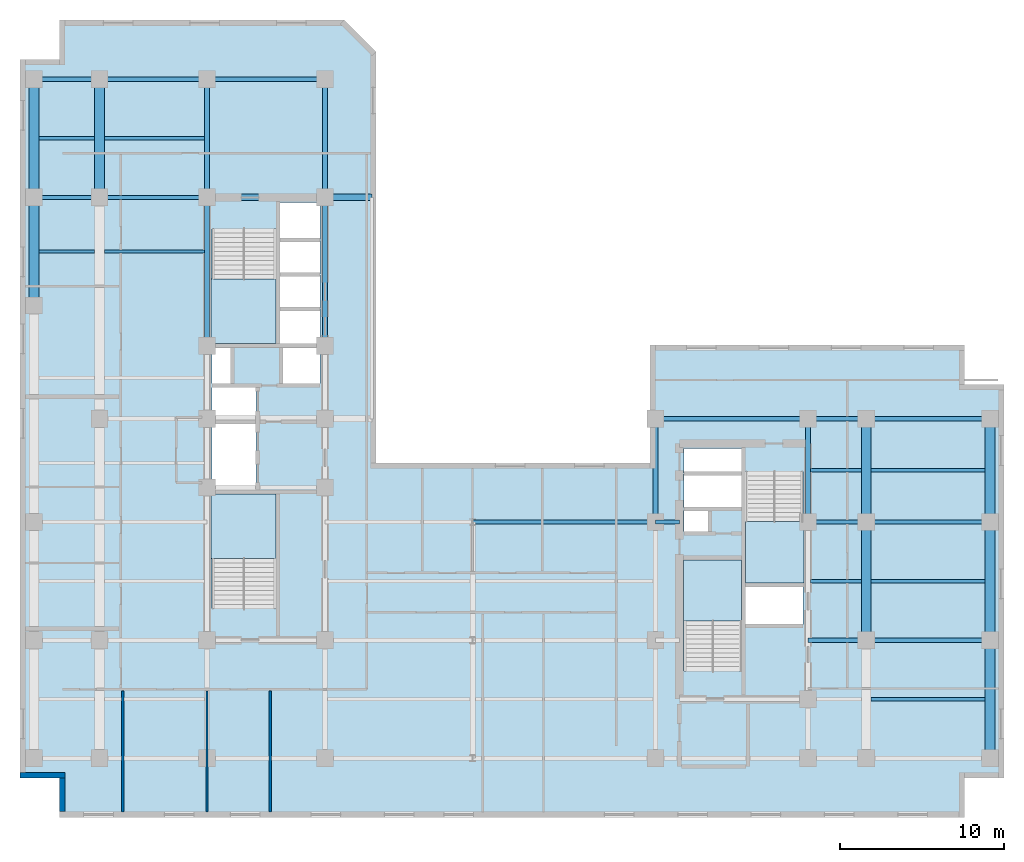
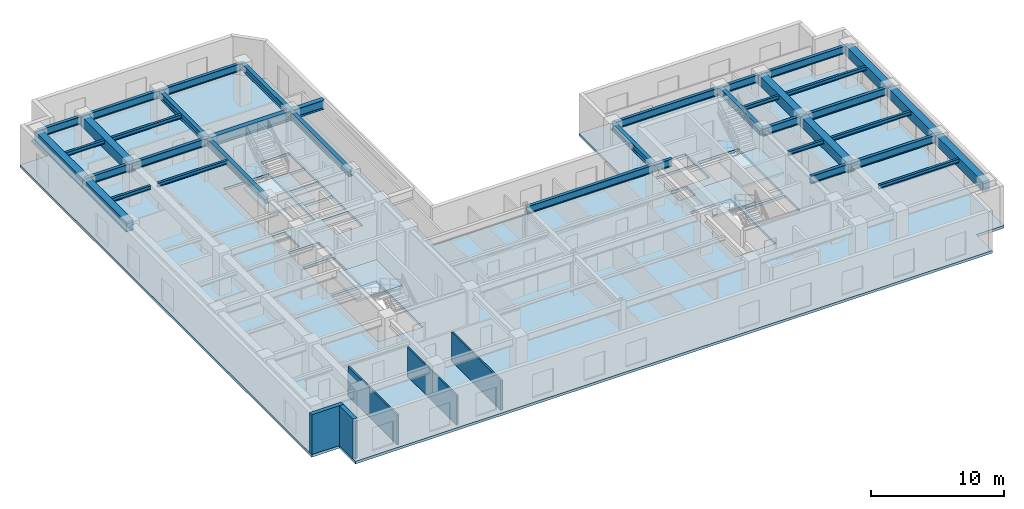
# One storey, part 2 of 9: 38 beams, 5 slabs, 5 walls, 4 elements without a shape of their own.
"""IFC4 building model written with IfcOpenShell, lengths in metres."""

from ifc_helpers import new_model, entity, si_unit, converted_unit, direction, frame, origin_with_axes, origin_2d_with_axis, place, context, subcontext, project, spatial, polyline, rectangle, i_section, outline, extrude, material, layer, layer_set, material_profile, profile_set, type_object, element, aggregate, save


model = new_model("IFC4")

# Units and contexts
model_context = context("Model", 3, precision=1e-05, world=origin_with_axes(), true_north=direction((0.0, 1.0)))
body_context = subcontext(model_context, "Body", "Model", "MODEL_VIEW")
ifc_project = project(units=[si_unit("LENGTHUNIT", "METRE"), si_unit("AREAUNIT", "SQUARE_METRE"), si_unit("VOLUMEUNIT", "CUBIC_METRE"), converted_unit("PLANEANGLEUNIT", "DEGREE", entity("IfcPlaneAngleMeasure", 0.017453292519943295), si_unit("PLANEANGLEUNIT", "RADIAN"), dimensions=[0, 0, 0, 0, 0, 0, 0]), si_unit("MASSUNIT", "GRAM", prefix="KILO"), si_unit("THERMODYNAMICTEMPERATUREUNIT", "KELVIN")], contexts=[model_context])

# Site, building, storey
site_placement = place(None, origin_with_axes())
site = spatial("IfcSite", under=ifc_project, at=site_placement, CompositionType="ELEMENT")
building_placement = place(site_placement, origin_with_axes())
building = spatial("IfcBuilding", under=site, at=building_placement, Name="Varnlund Millrace Tower", CompositionType="ELEMENT")
storey_placement = place(building_placement, frame((0.0, 0.0, 132.9), z_axis=(0.0, 0.0, 1.0), x_axis=(1.0, 0.0, 0.0)))
storey = spatial("IfcBuildingStorey", under=building, at=storey_placement, Name="L32", CompositionType="ELEMENT", Elevation=132.9)

# Beams
ifc_material_1 = material(Name="Steel ASTM A992 Grade 50", Category="steel")
ifc_material_profile_1 = material_profile(ifc_material_1, i_section(OverallWidth=0.328, OverallDepth=0.628, WebThickness=0.0165, FlangeThickness=0.0277, FilletRadius=0.018, at=origin_2d_with_axis()), Name="Steel ASTM A992 Grade 50")
ifc_profile_set_1 = profile_set([ifc_material_profile_1], Name="Steel ASTM A992 Grade 50")
beam_type_1 = type_object("IfcBeamType", Name="Type-Girder-W24X146", PredefinedType="USERDEFINED", material=ifc_profile_set_1)
beam_1_placement = place(storey_placement, frame((11.4, 28.75, 3.346), z_axis=(0.0, 1.0, 0.0), x_axis=(-1.0, 0.0, 0.0)))
element("IfcBeam", 1, at=beam_1_placement, inside=storey, type_object=beam_type_1, Name="Type-Girder-W24X146", ObjectType="GIRDER", PredefinedType="USERDEFINED", context=body_context, shape_type="SweptSolid", body=[
    extrude(i_section(OverallWidth=0.328, OverallDepth=0.628, WebThickness=0.0165, FlangeThickness=0.0277, FilletRadius=0.018, at=origin_2d_with_axis()), origin_with_axes(), (0.0, 0.0, 1.0), 9.05),
])
beam_2_placement = place(storey_placement, frame((11.4, 37.8, 3.346), z_axis=(0.0, 1.0, 0.0), x_axis=(-1.0, 0.0, 0.0)))
element("IfcBeam", 2, at=beam_2_placement, inside=storey, type_object=beam_type_1, Name="Type-Girder-W24X146", ObjectType="GIRDER", PredefinedType="USERDEFINED", context=body_context, shape_type="SweptSolid", body=[
    extrude(i_section(OverallWidth=0.328, OverallDepth=0.628, WebThickness=0.0165, FlangeThickness=0.0277, FilletRadius=0.018, at=origin_2d_with_axis()), origin_with_axes(), (0.0, 0.0, 1.0), 7.2),
])
beam_3_placement = place(storey_placement, frame((18.6, 28.75, 3.346), z_axis=(0.0, 1.0, 0.0), x_axis=(-1.0, 0.0, 0.0)))
element("IfcBeam", 3, at=beam_3_placement, inside=storey, type_object=beam_type_1, Name="Type-Girder-W24X146", ObjectType="GIRDER", PredefinedType="USERDEFINED", context=body_context, shape_type="SweptSolid", body=[
    extrude(i_section(OverallWidth=0.328, OverallDepth=0.628, WebThickness=0.0165, FlangeThickness=0.0277, FilletRadius=0.018, at=origin_2d_with_axis()), origin_with_axes(), (0.0, 0.0, 1.0), 9.05),
])
beam_4_placement = place(storey_placement, frame((18.6, 37.8, 3.346), z_axis=(0.0, 1.0, 0.0), x_axis=(-1.0, 0.0, 0.0)))
element("IfcBeam", 4, at=beam_4_placement, inside=storey, type_object=beam_type_1, Name="Type-Girder-W24X146", ObjectType="GIRDER", PredefinedType="USERDEFINED", context=body_context, shape_type="SweptSolid", body=[
    extrude(i_section(OverallWidth=0.328, OverallDepth=0.628, WebThickness=0.0165, FlangeThickness=0.0277, FilletRadius=0.018, at=origin_2d_with_axis()), origin_with_axes(), (0.0, 0.0, 1.0), 7.2),
])
for number, where, z_axis, x_axis, name in (
    (5, (38.75, 18.0, 3.346), (0.0, 1.0, 0.0), (-1.0, 0.0, 0.0), "Type-Girder-W24X146"),
    (6, (48.05, 18.0, 3.346), (0.0, 1.0, 0.0), (-1.0, 0.0, 0.0), "Type-Girder-W24X146"),
):
    element("IfcBeam", number, at=place(storey_placement, frame(where, z_axis=z_axis, x_axis=x_axis)), inside=storey, type_object=beam_type_1, Name=name, ObjectType="GIRDER", PredefinedType="USERDEFINED", context=body_context, shape_type="SweptSolid", body=[
        extrude(i_section(OverallWidth=0.328, OverallDepth=0.628, WebThickness=0.0165, FlangeThickness=0.0277, FilletRadius=0.018, at=origin_2d_with_axis()), origin_with_axes(), (0.0, 0.0, 1.0), 6.3),
    ])
ifc_material_profile_2 = material_profile(ifc_material_1, i_section(OverallWidth=0.256, OverallDepth=0.693, WebThickness=0.0145, FlangeThickness=0.0236, FilletRadius=0.018, at=origin_2d_with_axis()), Name="Steel ASTM A992 Grade 50")
ifc_profile_set_2 = profile_set([ifc_material_profile_2], Name="Steel ASTM A992 Grade 50")
beam_type_2 = type_object("IfcBeamType", Name="Type-Girder-W27X114", PredefinedType="USERDEFINED", material=ifc_profile_set_2)
beam_5_placement = place(storey_placement, frame((48.05, 10.8, 3.3135), z_axis=(1.0, 0.0, 0.0), x_axis=(0.0, 1.0, 0.0)))
element("IfcBeam", 7, at=beam_5_placement, inside=storey, type_object=beam_type_2, Name="Type-Girder-W27X114", ObjectType="GIRDER", PredefinedType="USERDEFINED", context=body_context, shape_type="SweptSolid", body=[
    extrude(i_section(OverallWidth=0.256, OverallDepth=0.693, WebThickness=0.0145, FlangeThickness=0.0236, FilletRadius=0.018, at=origin_2d_with_axis()), origin_with_axes(), (0.0, 0.0, 1.0), 3.55),
])
beam_6_placement = place(storey_placement, frame((51.6, 10.8, 3.3135), z_axis=(1.0, 0.0, 0.0), x_axis=(0.0, 1.0, 0.0)))
element("IfcBeam", 8, at=beam_6_placement, inside=storey, type_object=beam_type_2, Name="Type-Girder-W27X114", ObjectType="GIRDER", PredefinedType="USERDEFINED", context=body_context, shape_type="SweptSolid", body=[
    extrude(i_section(OverallWidth=0.256, OverallDepth=0.693, WebThickness=0.0145, FlangeThickness=0.0236, FilletRadius=0.018, at=origin_2d_with_axis()), origin_with_axes(), (0.0, 0.0, 1.0), 7.55),
])
beam_7_placement = place(storey_placement, frame((27.6, 18.0, 3.3135), z_axis=(1.0, 0.0, 0.0), x_axis=(0.0, 1.0, 0.0)))
element("IfcBeam", 9, at=beam_7_placement, inside=storey, type_object=beam_type_2, Name="Type-Girder-W27X114", ObjectType="GIRDER", PredefinedType="USERDEFINED", context=body_context, shape_type="SweptSolid", body=[
    extrude(i_section(OverallWidth=0.256, OverallDepth=0.693, WebThickness=0.0145, FlangeThickness=0.0236, FilletRadius=0.018, at=origin_2d_with_axis()), origin_with_axes(), (0.0, 0.0, 1.0), 11.15),
])
beam_8_placement = place(storey_placement, frame((38.75, 18.0, 3.3135), z_axis=(1.0, 0.0, 0.0), x_axis=(0.0, 1.0, 0.0)))
element("IfcBeam", 10, at=beam_8_placement, inside=storey, type_object=beam_type_2, Name="Type-Girder-W27X114", ObjectType="GIRDER", PredefinedType="USERDEFINED", context=body_context, shape_type="SweptSolid", body=[
    extrude(i_section(OverallWidth=0.256, OverallDepth=0.693, WebThickness=0.0145, FlangeThickness=0.0236, FilletRadius=0.018, at=origin_2d_with_axis()), origin_with_axes(), (0.0, 0.0, 1.0), 1.45),
])
beam_9_placement = place(storey_placement, frame((48.05, 18.0, 3.3135), z_axis=(1.0, 0.0, 0.0), x_axis=(0.0, 1.0, 0.0)))
element("IfcBeam", 11, at=beam_9_placement, inside=storey, type_object=beam_type_2, Name="Type-Girder-W27X114", ObjectType="GIRDER", PredefinedType="USERDEFINED", context=body_context, shape_type="SweptSolid", body=[
    extrude(i_section(OverallWidth=0.256, OverallDepth=0.693, WebThickness=0.0145, FlangeThickness=0.0236, FilletRadius=0.018, at=origin_2d_with_axis()), origin_with_axes(), (0.0, 0.0, 1.0), 3.55),
])
beam_10_placement = place(storey_placement, frame((51.6, 18.0, 3.3135), z_axis=(1.0, 0.0, 0.0), x_axis=(0.0, 1.0, 0.0)))
element("IfcBeam", 12, at=beam_10_placement, inside=storey, type_object=beam_type_2, Name="Type-Girder-W27X114", ObjectType="GIRDER", PredefinedType="USERDEFINED", context=body_context, shape_type="SweptSolid", body=[
    extrude(i_section(OverallWidth=0.256, OverallDepth=0.693, WebThickness=0.0145, FlangeThickness=0.0236, FilletRadius=0.018, at=origin_2d_with_axis()), origin_with_axes(), (0.0, 0.0, 1.0), 7.55),
])
beam_11_placement = place(storey_placement, frame((38.75, 24.3, 3.3135), z_axis=(1.0, 0.0, 0.0), x_axis=(0.0, 1.0, 0.0)))
element("IfcBeam", 13, at=beam_11_placement, inside=storey, type_object=beam_type_2, Name="Type-Girder-W27X114", ObjectType="GIRDER", PredefinedType="USERDEFINED", context=body_context, shape_type="SweptSolid", body=[
    extrude(i_section(OverallWidth=0.256, OverallDepth=0.693, WebThickness=0.0145, FlangeThickness=0.0236, FilletRadius=0.018, at=origin_2d_with_axis()), origin_with_axes(), (0.0, 0.0, 1.0), 9.3),
])
beam_12_placement = place(storey_placement, frame((48.05, 24.3, 3.3135), z_axis=(1.0, 0.0, 0.0), x_axis=(0.0, 1.0, 0.0)))
element("IfcBeam", 14, at=beam_12_placement, inside=storey, type_object=beam_type_2, Name="Type-Girder-W27X114", ObjectType="GIRDER", PredefinedType="USERDEFINED", context=body_context, shape_type="SweptSolid", body=[
    extrude(i_section(OverallWidth=0.256, OverallDepth=0.693, WebThickness=0.0145, FlangeThickness=0.0236, FilletRadius=0.018, at=origin_2d_with_axis()), origin_with_axes(), (0.0, 0.0, 1.0), 3.55),
])
beam_13_placement = place(storey_placement, frame((51.6, 24.3, 3.3135), z_axis=(1.0, 0.0, 0.0), x_axis=(0.0, 1.0, 0.0)))
element("IfcBeam", 15, at=beam_13_placement, inside=storey, type_object=beam_type_2, Name="Type-Girder-W27X114", ObjectType="GIRDER", PredefinedType="USERDEFINED", context=body_context, shape_type="SweptSolid", body=[
    extrude(i_section(OverallWidth=0.256, OverallDepth=0.693, WebThickness=0.0145, FlangeThickness=0.0236, FilletRadius=0.018, at=origin_2d_with_axis()), origin_with_axes(), (0.0, 0.0, 1.0), 7.55),
])
beam_14_placement = place(storey_placement, frame((0.85, 37.8, 3.3135), z_axis=(1.0, 0.0, 0.0), x_axis=(0.0, 1.0, 0.0)))
element("IfcBeam", 16, at=beam_14_placement, inside=storey, type_object=beam_type_2, Name="Type-Girder-W27X114", ObjectType="GIRDER", PredefinedType="USERDEFINED", context=body_context, shape_type="SweptSolid", body=[
    extrude(i_section(OverallWidth=0.256, OverallDepth=0.693, WebThickness=0.0145, FlangeThickness=0.0236, FilletRadius=0.018, at=origin_2d_with_axis()), origin_with_axes(), (0.0, 0.0, 1.0), 4.0),
])
beam_15_placement = place(storey_placement, frame((4.85, 37.8, 3.3135), z_axis=(1.0, 0.0, 0.0), x_axis=(0.0, 1.0, 0.0)))
element("IfcBeam", 17, at=beam_15_placement, inside=storey, type_object=beam_type_2, Name="Type-Girder-W27X114", ObjectType="GIRDER", PredefinedType="USERDEFINED", context=body_context, shape_type="SweptSolid", body=[
    extrude(i_section(OverallWidth=0.256, OverallDepth=0.693, WebThickness=0.0145, FlangeThickness=0.0236, FilletRadius=0.018, at=origin_2d_with_axis()), origin_with_axes(), (0.0, 0.0, 1.0), 6.55),
])
beam_16_placement = place(storey_placement, frame((0.85, 45.0, 3.3135), z_axis=(1.0, 0.0, 0.0), x_axis=(0.0, 1.0, 0.0)))
element("IfcBeam", 18, at=beam_16_placement, inside=storey, type_object=beam_type_2, Name="Type-Girder-W27X114", ObjectType="GIRDER", PredefinedType="USERDEFINED", context=body_context, shape_type="SweptSolid", body=[
    extrude(i_section(OverallWidth=0.256, OverallDepth=0.693, WebThickness=0.0145, FlangeThickness=0.0236, FilletRadius=0.018, at=origin_2d_with_axis()), origin_with_axes(), (0.0, 0.0, 1.0), 4.0),
])
beam_17_placement = place(storey_placement, frame((4.85, 45.0, 3.3135), z_axis=(1.0, 0.0, 0.0), x_axis=(0.0, 1.0, 0.0)))
element("IfcBeam", 19, at=beam_17_placement, inside=storey, type_object=beam_type_2, Name="Type-Girder-W27X114", ObjectType="GIRDER", PredefinedType="USERDEFINED", context=body_context, shape_type="SweptSolid", body=[
    extrude(i_section(OverallWidth=0.256, OverallDepth=0.693, WebThickness=0.0145, FlangeThickness=0.0236, FilletRadius=0.018, at=origin_2d_with_axis()), origin_with_axes(), (0.0, 0.0, 1.0), 6.55),
])
beam_18_placement = place(storey_placement, frame((11.4, 45.0, 3.3135), z_axis=(1.0, 0.0, 0.0), x_axis=(0.0, 1.0, 0.0)))
element("IfcBeam", 20, at=beam_18_placement, inside=storey, type_object=beam_type_2, Name="Type-Girder-W27X114", ObjectType="GIRDER", PredefinedType="USERDEFINED", context=body_context, shape_type="SweptSolid", body=[
    extrude(i_section(OverallWidth=0.256, OverallDepth=0.693, WebThickness=0.0145, FlangeThickness=0.0236, FilletRadius=0.018, at=origin_2d_with_axis()), origin_with_axes(), (0.0, 0.0, 1.0), 7.2),
])
ifc_material_profile_3 = material_profile(ifc_material_1, i_section(OverallWidth=0.399, OverallDepth=0.855, WebThickness=0.0182, FlangeThickness=0.0292, FilletRadius=0.022, at=origin_2d_with_axis()), Name="Steel ASTM A992 Grade 50")
ifc_profile_set_3 = profile_set([ifc_material_profile_3], Name="Steel ASTM A992 Grade 50")
beam_type_3 = type_object("IfcBeamType", Name="Type-Girder-W33X201", PredefinedType="USERDEFINED", material=ifc_profile_set_3)
beam_19_placement = place(storey_placement, frame((11.4, 37.8, 3.2325), z_axis=(1.0, 0.0, 0.0), x_axis=(0.0, 1.0, 0.0)))
element("IfcBeam", 21, at=beam_19_placement, inside=storey, type_object=beam_type_3, Name="Type-Girder-W33X201", ObjectType="GIRDER", PredefinedType="USERDEFINED", context=body_context, shape_type="SweptSolid", body=[
    extrude(i_section(OverallWidth=0.399, OverallDepth=0.855, WebThickness=0.0182, FlangeThickness=0.0292, FilletRadius=0.022, at=origin_2d_with_axis()), origin_with_axes(), (0.0, 0.0, 1.0), 10.054),
])
ifc_material_profile_4 = material_profile(ifc_material_1, i_section(OverallWidth=0.204, OverallDepth=0.35, WebThickness=0.0086, FlangeThickness=0.0151, FilletRadius=0.013, at=origin_2d_with_axis()), Name="Steel ASTM A992 Grade 50")
ifc_profile_set_4 = profile_set([ifc_material_profile_4], Name="Steel ASTM A992 Grade 50")
beam_type_4 = type_object("IfcBeamType", Name="Type-Joist-W14X48", PredefinedType="JOIST", material=ifc_profile_set_4)
for number, where, z_axis, x_axis, name in (
    (22, (1.15, 34.5, 3.485), (1.0, 0.0, 0.0), (0.0, 1.0, 0.0), "Type-Joist-W14X48"),
    (23, (1.15, 41.4, 3.485), (1.0, 0.0, 0.0), (0.0, 1.0, 0.0), "Type-Joist-W14X48"),
):
    element("IfcBeam", number, at=place(storey_placement, frame(where, z_axis=z_axis, x_axis=x_axis)), inside=storey, type_object=beam_type_4, Name=name, PredefinedType="JOIST", context=body_context, shape_type="SweptSolid", body=[
        extrude(i_section(OverallWidth=0.204, OverallDepth=0.35, WebThickness=0.0086, FlangeThickness=0.0151, FilletRadius=0.013, at=origin_2d_with_axis()), origin_with_axes(), (0.0, 0.0, 1.0), 3.4),
    ])
for number, where, z_axis, x_axis, name in (
    (24, (5.15, 34.5, 3.485), (1.0, 0.0, 0.0), (0.0, 1.0, 0.0), "Type-Joist-W14X48"),
    (25, (5.15, 41.4, 3.485), (1.0, 0.0, 0.0), (0.0, 1.0, 0.0), "Type-Joist-W14X48"),
):
    element("IfcBeam", number, at=place(storey_placement, frame(where, z_axis=z_axis, x_axis=x_axis)), inside=storey, type_object=beam_type_4, Name=name, PredefinedType="JOIST", context=body_context, shape_type="SweptSolid", body=[
        extrude(i_section(OverallWidth=0.204, OverallDepth=0.35, WebThickness=0.0086, FlangeThickness=0.0151, FilletRadius=0.013, at=origin_2d_with_axis()), origin_with_axes(), (0.0, 0.0, 1.0), 6.086),
    ])
for number, where, z_axis, x_axis, name in (
    (26, (48.214, 14.4, 3.485), (1.0, 0.0, 0.0), (0.0, 1.0, 0.0), "Type-Joist-W14X48"),
    (27, (48.214, 21.15, 3.485), (1.0, 0.0, 0.0), (0.0, 1.0, 0.0), "Type-Joist-W14X48"),
):
    element("IfcBeam", number, at=place(storey_placement, frame(where, z_axis=z_axis, x_axis=x_axis)), inside=storey, type_object=beam_type_4, Name=name, PredefinedType="JOIST", context=body_context, shape_type="SweptSolid", body=[
        extrude(i_section(OverallWidth=0.204, OverallDepth=0.35, WebThickness=0.0086, FlangeThickness=0.0151, FilletRadius=0.013, at=origin_2d_with_axis()), origin_with_axes(), (0.0, 0.0, 1.0), 3.086),
    ])
for number, where, z_axis, x_axis, name in (
    (28, (51.9, 7.2, 3.485), (1.0, 0.0, 0.0), (0.0, 1.0, 0.0), "Type-Joist-W14X48"),
    (29, (51.9, 14.4, 3.485), (1.0, 0.0, 0.0), (0.0, 1.0, 0.0), "Type-Joist-W14X48"),
    (30, (51.9, 21.15, 3.485), (1.0, 0.0, 0.0), (0.0, 1.0, 0.0), "Type-Joist-W14X48"),
):
    element("IfcBeam", number, at=place(storey_placement, frame(where, z_axis=z_axis, x_axis=x_axis)), inside=storey, type_object=beam_type_4, Name=name, PredefinedType="JOIST", context=body_context, shape_type="SweptSolid", body=[
        extrude(i_section(OverallWidth=0.204, OverallDepth=0.35, WebThickness=0.0086, FlangeThickness=0.0151, FilletRadius=0.013, at=origin_2d_with_axis()), origin_with_axes(), (0.0, 0.0, 1.0), 6.95),
    ])
ifc_material_2 = material(Name="Concrete C70/85", Category="concrete")
ifc_material_profile_5 = material_profile(ifc_material_2, rectangle(XDim=0.6, YDim=0.9, at=origin_2d_with_axis()), Name="Concrete C70/85")
ifc_profile_set_5 = profile_set([ifc_material_profile_5], Name="Concrete C70/85")
beam_type_5 = type_object("IfcBeamType", Name="Type-Spandrel-RC600X900", PredefinedType="SPANDREL", material=ifc_profile_set_5)
beam_20_placement = place(storey_placement, frame((0.85, 31.2, 3.21), z_axis=(0.0, 1.0, 0.0), x_axis=(-1.0, 0.0, 0.0)))
element("IfcBeam", 31, at=beam_20_placement, inside=storey, type_object=beam_type_5, Name="Type-Spandrel-RC600X900", PredefinedType="SPANDREL", context=body_context, shape_type="SweptSolid", body=[
    extrude(rectangle(XDim=0.6, YDim=0.9, at=origin_2d_with_axis()), origin_with_axes(), (0.0, 0.0, 1.0), 6.6),
])
for number, where, z_axis, x_axis, name in (
    (32, (0.85, 37.8, 3.21), (0.0, 1.0, 0.0), (-1.0, 0.0, 0.0), "Type-Spandrel-RC600X900"),
    (33, (4.85, 37.8, 3.21), (0.0, 1.0, 0.0), (-1.0, 0.0, 0.0), "Type-Spandrel-RC600X900"),
    (34, (51.6, 10.8, 3.21), (0.0, 1.0, 0.0), (-1.0, 0.0, 0.0), "Type-Spandrel-RC600X900"),
):
    element("IfcBeam", number, at=place(storey_placement, frame(where, z_axis=z_axis, x_axis=x_axis)), inside=storey, type_object=beam_type_5, Name=name, PredefinedType="SPANDREL", context=body_context, shape_type="SweptSolid", body=[
        extrude(rectangle(XDim=0.6, YDim=0.9, at=origin_2d_with_axis()), origin_with_axes(), (0.0, 0.0, 1.0), 7.2),
    ])
beam_21_placement = place(storey_placement, frame((51.6, 18.0, 3.21), z_axis=(0.0, 1.0, 0.0), x_axis=(-1.0, 0.0, 0.0)))
element("IfcBeam", 35, at=beam_21_placement, inside=storey, type_object=beam_type_5, Name="Type-Spandrel-RC600X900", PredefinedType="SPANDREL", context=body_context, shape_type="SweptSolid", body=[
    extrude(rectangle(XDim=0.6, YDim=0.9, at=origin_2d_with_axis()), origin_with_axes(), (0.0, 0.0, 1.0), 6.3),
])
for number, where, z_axis, x_axis, name in (
    (36, (59.15, 3.6, 3.21), (0.0, 1.0, 0.0), (-1.0, 0.0, 0.0), "Type-Spandrel-RC600X900"),
    (37, (59.15, 10.8, 3.21), (0.0, 1.0, 0.0), (-1.0, 0.0, 0.0), "Type-Spandrel-RC600X900"),
):
    element("IfcBeam", number, at=place(storey_placement, frame(where, z_axis=z_axis, x_axis=x_axis)), inside=storey, type_object=beam_type_5, Name=name, PredefinedType="SPANDREL", context=body_context, shape_type="SweptSolid", body=[
        extrude(rectangle(XDim=0.6, YDim=0.9, at=origin_2d_with_axis()), origin_with_axes(), (0.0, 0.0, 1.0), 7.2),
    ])
beam_22_placement = place(storey_placement, frame((59.15, 18.0, 3.21), z_axis=(0.0, 1.0, 0.0), x_axis=(-1.0, 0.0, 0.0)))
element("IfcBeam", 38, at=beam_22_placement, inside=storey, type_object=beam_type_5, Name="Type-Spandrel-RC600X900", PredefinedType="SPANDREL", context=body_context, shape_type="SweptSolid", body=[
    extrude(rectangle(XDim=0.6, YDim=0.9, at=origin_2d_with_axis()), origin_with_axes(), (0.0, 0.0, 1.0), 6.3),
])

# Slab
ifc_material_3 = material(Name="Concrete C60/75", Category="concrete")
ifc_layer_1 = layer(ifc_material_3, 0.24, Name="Concrete C60/75")
ifc_layer_set_1 = layer_set([ifc_layer_1], Name="Concrete C60/75")
slab_type_1 = type_object("IfcSlabType", Name="Type-Deck-Plate-Typical-240", PredefinedType="FLOOR", material=ifc_layer_set_1)
slab_1_placement = place(storey_placement, frame((0.0, 0.0, -0.24), z_axis=(0.0, 0.0, 1.0), x_axis=(1.0, 0.0, 0.0)))
element("IfcSlab", 39, at=slab_1_placement, inside=storey, type_object=slab_type_1, Name="Type-Deck-Plate-Typical-240", PredefinedType="FLOOR", context=body_context, shape_type="SweptSolid", body=[
    extrude(outline(polyline([(21.704, 21.6), (21.704, 46.68), (19.784, 48.6), (2.4, 48.6), (2.4, 46.2), (0.0, 46.2), (0.0, 2.4), (2.4, 2.4), (2.4, 0.0), (57.6, 0.0), (57.6, 2.4), (60.0, 2.4), (60.0, 26.4), (57.6, 26.4), (57.6, 28.8), (38.4, 28.8), (38.4, 21.6), (21.704, 21.6)]), holes=[polyline([(15.6, 12.715), (11.7, 12.715), (11.7, 19.7), (15.6, 19.7), (15.6, 12.715)]), polyline([(14.38, 23.98), (14.38, 19.94), (11.7, 19.94), (11.7, 23.98), (14.38, 23.98)]), polyline([(14.38, 24.24), (11.7, 24.24), (11.7, 26.2), (14.38, 26.2), (14.38, 24.24)]), polyline([(12.84, 26.46), (11.7, 26.46), (11.7, 28.65), (12.84, 28.65), (12.84, 26.46)]), polyline([(18.3, 28.9), (15.84, 28.9), (15.84, 30.98), (18.3, 30.98), (18.3, 28.9)]), polyline([(18.3, 31.02), (15.84, 31.02), (15.84, 33.08), (18.3, 33.08), (18.3, 31.02)]), polyline([(15.6, 28.9), (11.7, 28.9), (11.7, 35.885), (15.6, 35.885), (15.6, 28.9)]), polyline([(18.3, 33.12), (15.84, 33.12), (15.84, 35.18), (18.3, 35.18), (18.3, 33.12)]), polyline([(44.0, 8.915), (40.5, 8.915), (40.5, 15.7), (44.0, 15.7), (44.0, 8.915)]), polyline([(47.75, 11.74), (44.25, 11.74), (44.25, 14.06), (47.75, 14.06), (47.75, 11.74)]), polyline([(47.75, 14.3), (44.25, 14.3), (44.25, 21.085), (47.75, 21.085), (47.75, 14.3)]), polyline([(41.95, 17.42), (40.5, 17.42), (40.5, 18.72), (41.95, 18.72), (41.95, 17.42)]), polyline([(44.0, 18.88), (40.5, 18.88), (40.5, 20.94), (44.0, 20.94), (44.0, 18.88)]), polyline([(44.0, 21.0), (40.5, 21.0), (40.5, 22.5), (44.0, 22.5), (44.0, 21.0)]), polyline([(16.04, 26.46), (16.04, 28.65), (18.3, 28.65), (18.3, 26.46), (16.04, 26.46)]), polyline([(15.84, 35.22), (15.84, 37.5), (18.3, 37.5), (18.3, 35.22), (15.84, 35.22)])]), origin_with_axes(), (0.0, 0.0, 1.0), 0.24),
])

# Stair, slab
ifc_material_4 = material(Name="Concrete C50/60", Category="concrete")
stair_type_1 = type_object("IfcStairType", Name="Type-Stair-Dogleg-185-390", PredefinedType="HALF_TURN_STAIR", material=ifc_material_4)
stair_1_placement = place(storey_placement, origin_with_axes())
stair_1 = element("IfcStair", 40, at=stair_1_placement, inside=storey, type_object=stair_type_1, Name="Type-Stair-Dogleg-185-390", PredefinedType="HALF_TURN_STAIR")
ifc_layer_2 = layer(ifc_material_4, 0.2, Name="Concrete C50/60")
ifc_layer_set_2 = layer_set([ifc_layer_2], Name="Concrete C50/60")
slab_type_2 = type_object("IfcSlabType", Name="Type-StairLanding-200", PredefinedType="LANDING", material=ifc_layer_set_2)
slab_2_placement = place(storey_placement, frame((0.0, 0.0, 1.75), z_axis=(0.0, 0.0, 1.0), x_axis=(1.0, 0.0, 0.0)))
slab_2 = element("IfcSlab", 41, at=slab_2_placement, type_object=slab_type_2, Name="ST-A1 landing 1", PredefinedType="LANDING", context=body_context, shape_type="SweptSolid", body=[
    extrude(outline(polyline([(15.6, 15.78), (15.6, 19.7), (11.65, 19.7), (11.65, 15.78), (15.6, 15.78)])), origin_with_axes(), (0.0, 0.0, 1.0), 0.2),
])
aggregate(stair_1, [slab_2])

stair_2_placement = place(storey_placement, origin_with_axes())
stair_2 = element("IfcStair", 42, at=stair_2_placement, inside=storey, type_object=stair_type_1, Name="Type-Stair-Dogleg-185-390", PredefinedType="HALF_TURN_STAIR")
slab_3_placement = place(storey_placement, frame((0.0, 0.0, 1.75), z_axis=(0.0, 0.0, 1.0), x_axis=(1.0, 0.0, 0.0)))
slab_3 = element("IfcSlab", 43, at=slab_3_placement, type_object=slab_type_2, Name="ST-A2 landing 1", PredefinedType="LANDING", context=body_context, shape_type="SweptSolid", body=[
    extrude(outline(polyline([(11.65, 32.82), (11.65, 28.9), (15.6, 28.9), (15.6, 32.82), (11.65, 32.82)])), origin_with_axes(), (0.0, 0.0, 1.0), 0.2),
])
aggregate(stair_2, [slab_3])

stair_type_2 = type_object("IfcStairType", Name="Type-Stair-Dogleg-165-390", PredefinedType="HALF_TURN_STAIR", material=ifc_material_4)
stair_3_placement = place(storey_placement, origin_with_axes())
stair_3 = element("IfcStair", 44, at=stair_3_placement, inside=storey, type_object=stair_type_2, Name="Type-Stair-Dogleg-165-390", PredefinedType="HALF_TURN_STAIR")
slab_4_placement = place(storey_placement, frame((0.0, 0.0, 1.75), z_axis=(0.0, 0.0, 1.0), x_axis=(1.0, 0.0, 0.0)))
slab_4 = element("IfcSlab", 45, at=slab_4_placement, type_object=slab_type_2, Name="ST-B1 landing 1", PredefinedType="LANDING", context=body_context, shape_type="SweptSolid", body=[
    extrude(outline(polyline([(44.0, 11.98), (44.0, 15.7), (40.45, 15.7), (40.45, 11.98), (44.0, 11.98)])), origin_with_axes(), (0.0, 0.0, 1.0), 0.2),
])
aggregate(stair_3, [slab_4])

stair_4_placement = place(storey_placement, origin_with_axes())
stair_4 = element("IfcStair", 46, at=stair_4_placement, inside=storey, type_object=stair_type_2, Name="Type-Stair-Dogleg-165-390", PredefinedType="HALF_TURN_STAIR")
slab_5_placement = place(storey_placement, frame((0.0, 0.0, 1.75), z_axis=(0.0, 0.0, 1.0), x_axis=(1.0, 0.0, 0.0)))
slab_5 = element("IfcSlab", 47, at=slab_5_placement, type_object=slab_type_2, Name="ST-B2 landing 1", PredefinedType="LANDING", context=body_context, shape_type="SweptSolid", body=[
    extrude(outline(polyline([(44.25, 18.02), (44.25, 14.3), (47.8, 14.3), (47.8, 18.02), (44.25, 18.02)])), origin_with_axes(), (0.0, 0.0, 1.0), 0.2),
])
aggregate(stair_4, [slab_5])

# Walls
ifc_material_5 = material(Name="Precast concrete C50/60", Category="concrete")
ifc_layer_3 = layer(ifc_material_5, 0.34, Name="Precast concrete C50/60")
ifc_layer_set_3 = layer_set([ifc_layer_3], Name="Precast concrete C50/60")
wall_type_1 = type_object("IfcWallType", Name="Type-ExtWall-Precast-Upper-340", PredefinedType="SOLIDWALL", material=ifc_layer_set_3)
wall_1_placement = place(storey_placement, frame((2.57, 0.34, 0.0), z_axis=(0.0, 0.0, 1.0), x_axis=(0.0, 1.0, 0.0)))
element("IfcWall", 48, at=wall_1_placement, inside=storey, type_object=wall_type_1, Name="Type-ExtWall-Precast-Upper-340", PredefinedType="SOLIDWALL", context=body_context, shape_type="SweptSolid", body=[
    extrude(outline(polyline([(0.0, -0.17), (2.06, -0.17), (2.06, 0.17), (0.0, 0.17), (0.0, -0.17)])), origin_with_axes(), (0.0, 0.0, 1.0), 3.66),
])
wall_2_placement = place(storey_placement, frame((2.74, 2.57, 0.0), z_axis=(0.0, 0.0, 1.0), x_axis=(-1.0, 0.0, 0.0)))
element("IfcWall", 49, at=wall_2_placement, inside=storey, type_object=wall_type_1, Name="Type-ExtWall-Precast-Upper-340", PredefinedType="SOLIDWALL", context=body_context, shape_type="SweptSolid", body=[
    extrude(outline(polyline([(0.0, -0.17), (2.74, -0.17), (2.74, 0.17), (0.0, 0.17), (0.0, -0.17)])), origin_with_axes(), (0.0, 0.0, 1.0), 3.66),
])
ifc_material_6 = material(Name="Acoustic STC-50 gypsum board partition", Category="gypsum")
ifc_layer_4 = layer(ifc_material_6, 0.15, Name="Acoustic STC-50 gypsum board partition")
ifc_layer_set_4 = layer_set([ifc_layer_4], Name="Acoustic STC-50 gypsum board partition")
wall_type_2 = type_object("IfcWallType", Name="Type-Partition-Demising-150", PredefinedType="PARTITIONING", material=ifc_layer_set_4)
for number, where, z_axis, x_axis, name in (
    (50, (6.27, 0.335, 0.0), (0.0, 0.0, 1.0), (0.0, 1.0, 0.0), "Type-Partition-Demising-150"),
    (51, (15.26, 0.335, 0.0), (0.0, 0.0, 1.0), (0.0, 1.0, 0.0), "Type-Partition-Demising-150"),
):
    element("IfcWall", number, at=place(storey_placement, frame(where, z_axis=z_axis, x_axis=x_axis)), inside=storey, type_object=wall_type_2, Name=name, PredefinedType="PARTITIONING", context=body_context, shape_type="SweptSolid", body=[
        extrude(outline(polyline([(0.0, -0.075), (7.365, -0.075), (7.365, 0.075), (0.0, 0.075), (0.0, -0.075)])), origin_with_axes(), (0.0, 0.0, 1.0), 2.7),
    ])
ifc_material_7 = material(Name="Gypsum board tenant partition", Category="gypsum")
ifc_layer_5 = layer(ifc_material_7, 0.125, Name="Gypsum board tenant partition")
ifc_layer_set_5 = layer_set([ifc_layer_5], Name="Gypsum board tenant partition")
wall_type_3 = type_object("IfcWallType", Name="Type-Partition-Tenant-125", PredefinedType="PARTITIONING", material=ifc_layer_set_5)
wall_3_placement = place(storey_placement, frame((11.4, 0.335, 0.0), z_axis=(0.0, 0.0, 1.0), x_axis=(0.0, 1.0, 0.0)))
element("IfcWall", 52, at=wall_3_placement, inside=storey, type_object=wall_type_3, Name="Type-Partition-Tenant-125", PredefinedType="PARTITIONING", context=body_context, shape_type="SweptSolid", body=[
    extrude(outline(polyline([(0.0, -0.0625), (7.365, -0.0625), (7.365, 0.0625), (0.0, 0.0625), (0.0, -0.0625)])), origin_with_axes(), (0.0, 0.0, 1.0), 2.7),
])

save(model, "model.ifc")
